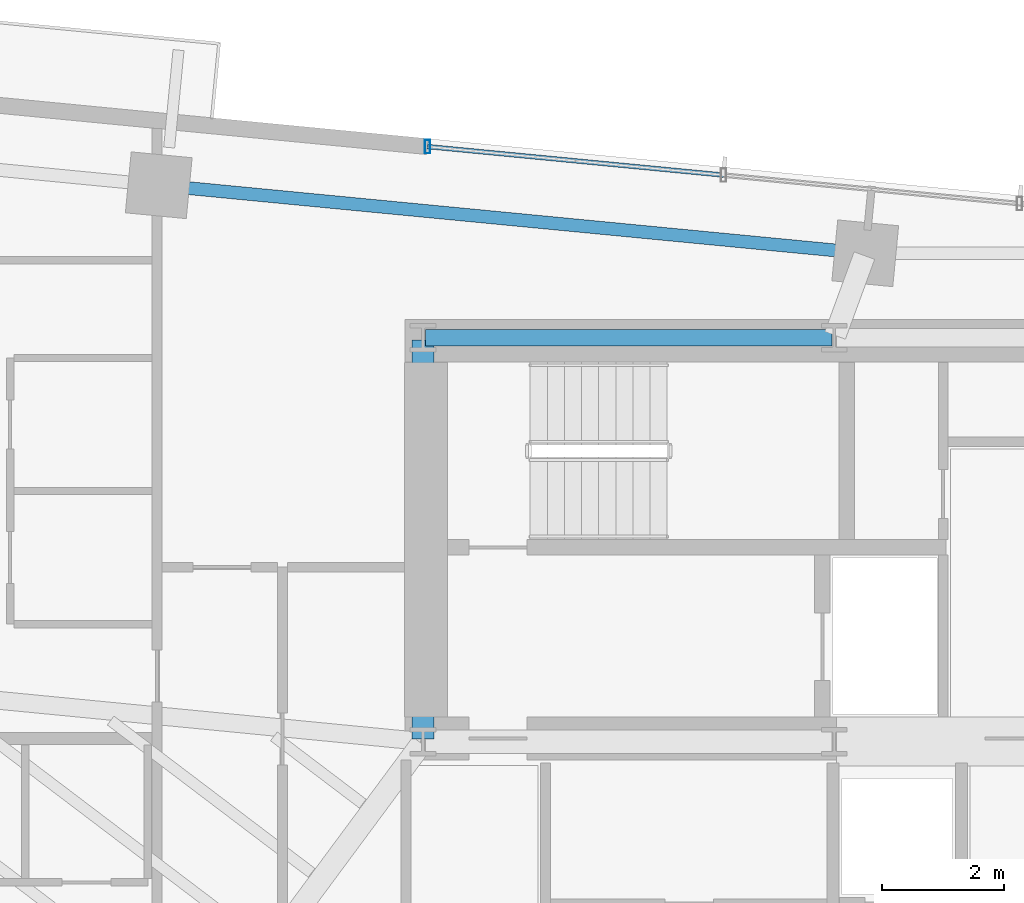
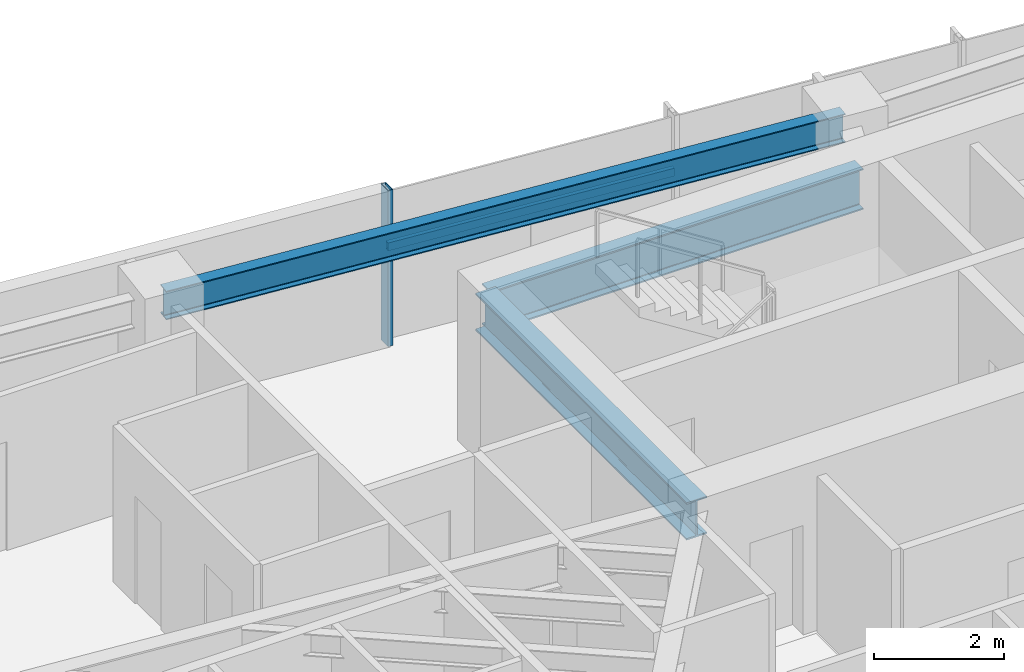
# One storey, part 7 of 20: 3 beams, 2 members, 1 element without a shape of its own.
"""IFC4 building model written with IfcOpenShell, lengths in metres."""

import ifcopenshell
import ifcopenshell.guid

model = None  # the IFC model being written
_history = None  # IfcOwnerHistory: only IFC2X3 demands one
_inside = {}  # id of a spatial element -> (the spatial element, [elements in it])
_under = {}  # id of a project, library or spatial element -> (it, [spatial elements below it])
_declared = {}  # id of a project -> (the project, [libraries it declares])
_typed = {}  # id of a type object -> (the type object, [elements of that type])
_made_of = {}  # id of a material, layer set ... -> (it, [elements and type objects made of it])


def new_model(schema):
    """Start an empty IFC model of exactly this schema.

    Asked for "IFC4X3", IfcOpenShell would pick the latest addendum, in which some entities
    have other attributes; the version numbers below select the first issue.
    IFC2X3 requires an IfcOwnerHistory on every rooted entity: one is made here for all.
    """
    global model, _history
    if schema == "IFC4X3":
        model = ifcopenshell.file(schema_version=(4, 3, 0, 0))
    else:
        model = ifcopenshell.file(schema=schema)
    _inside.clear()
    _under.clear()
    _declared.clear()
    _typed.clear()
    _made_of.clear()
    _history = None
    if model.schema == "IFC2X3":
        org = make("IfcOrganization", Name="unknown")
        user = make(
            "IfcPersonAndOrganization",
            ThePerson=make("IfcPerson", FamilyName="unknown"),
            TheOrganization=org,
        )
        app = make(
            "IfcApplication",
            ApplicationDeveloper=org,
            Version="unknown",
            ApplicationFullName="unknown",
            ApplicationIdentifier="unknown",
        )
        _history = make(
            "IfcOwnerHistory",
            OwningUser=user,
            OwningApplication=app,
            ChangeAction="ADDED",
            CreationDate=0,
        )
    return model


def make(cls, **values):
    """One entity of the class cls with the attributes given. An attribute that is None is left unset."""
    return model.create_entity(
        cls, **{name: value for name, value in values.items() if value is not None}
    )


def rooted(cls, **values):
    """An entity with a GlobalId (a new one), such as an element, a storey or a relation."""
    return make(cls, GlobalId=ifcopenshell.guid.new(), OwnerHistory=_history, **values)


def si_unit(unit_type, name, prefix=None):
    """IfcSIUnit, for example si_unit("LENGTHUNIT", "METRE", prefix="MILLI")."""
    return make("IfcSIUnit", UnitType=unit_type, Prefix=prefix, Name=name)


def assignment(units):
    """IfcUnitAssignment: the units of a project."""
    return None if units is None else make("IfcUnitAssignment", Units=units)


def point(xyz):
    """IfcCartesianPoint."""
    return None if xyz is None else make("IfcCartesianPoint", Coordinates=xyz)


def direction(xyz):
    """IfcDirection."""
    return None if xyz is None else make("IfcDirection", DirectionRatios=xyz)


def frame(location, z_axis=None, x_axis=None):
    """IfcAxis2Placement3D, a coordinate frame: its origin and axes. An axis left out is left unset."""
    return make(
        "IfcAxis2Placement3D",
        Location=point(location),
        Axis=direction(z_axis),
        RefDirection=direction(x_axis),
    )


def frame_2d(location, x_axis=None):
    """IfcAxis2Placement2D, a coordinate frame in the plane: its origin and x axis."""
    return make(
        "IfcAxis2Placement2D", Location=point(location), RefDirection=direction(x_axis)
    )


def origin():
    """The frame at (0, 0, 0) with its axes left unset."""
    return frame((0.0, 0.0, 0.0))


def origin_2d():
    """The frame at (0, 0) in the plane with its x axis left unset."""
    return frame_2d((0.0, 0.0))


def place(relative_to, where):
    """IfcLocalPlacement: puts the frame where relative to a parent placement (None: the world)."""
    return make(
        "IfcLocalPlacement", PlacementRelTo=relative_to, RelativePlacement=where
    )


def context(
    kind, dimensions, precision=None, world=None, true_north=None, identifier=None
):
    """IfcGeometricRepresentationContext, for example the 3D "Model" context."""
    return make(
        "IfcGeometricRepresentationContext",
        ContextIdentifier=identifier,
        ContextType=kind,
        CoordinateSpaceDimension=dimensions,
        Precision=precision,
        WorldCoordinateSystem=world,
        TrueNorth=true_north,
    )


def subcontext(parent, identifier, kind, view, scale=None):
    """IfcGeometricRepresentationSubContext, for example "Body" below "Model"."""
    return make(
        "IfcGeometricRepresentationSubContext",
        ContextIdentifier=identifier,
        ContextType=kind,
        ParentContext=parent,
        TargetScale=scale,
        TargetView=view,
    )


def project(units=None, contexts=None):
    """IfcProject with its units and contexts."""
    return rooted(
        "IfcProject",
        Name="project",
        RepresentationContexts=contexts,
        UnitsInContext=assignment(units),
    )


def spatial(cls, under=None, at=None, **own):
    """A site, building, storey or space (cls), placed at a placement, below another one or the project."""
    s = rooted(cls, ObjectPlacement=at, **own)
    if under is not None:
        _under.setdefault(under.id(), (under, []))[1].append(s)
    return s


def profile(cls, at=None, kind="AREA", **sizes):
    """A parametric profile (cls). Its sizes go by their IFC names, for example OverallWidth=200.0."""
    return make(cls, ProfileType=kind, Position=at, **sizes)


def hollow_rectangle(**sizes):
    """IfcRectangleHollowProfileDef."""
    return profile("IfcRectangleHollowProfileDef", **sizes)


def i_section(**sizes):
    """IfcIShapeProfileDef."""
    return profile("IfcIShapeProfileDef", **sizes)


def extrude(swept, where, along, depth):
    """IfcExtrudedAreaSolid: the profile swept, set in the frame where, extruded along a direction by depth."""
    return make(
        "IfcExtrudedAreaSolid",
        SweptArea=swept,
        Position=where,
        ExtrudedDirection=direction(along),
        Depth=depth,
    )


def shape(context_of_items, identifier, shape_type, items):
    """IfcShapeRepresentation: the items that make up one representation, for example the "Body"."""
    return make(
        "IfcShapeRepresentation",
        ContextOfItems=context_of_items,
        RepresentationIdentifier=identifier,
        RepresentationType=shape_type,
        Items=items,
    )


def source(mapping_origin, context_of_items, identifier, shape_type, items):
    """IfcRepresentationMap: a shape defined once, which mapped items show again and again."""
    return make(
        "IfcRepresentationMap",
        MappingOrigin=mapping_origin,
        MappedRepresentation=shape(context_of_items, identifier, shape_type, items),
    )


def transform(
    local_origin,
    x_axis=None,
    y_axis=None,
    z_axis=None,
    scale=None,
    scale2=None,
    scale3=None,
    uniform=True,
):
    """IfcCartesianTransformationOperator3D, or its non-uniform kind. x_axis, y_axis, z_axis: its Axis1, 2, 3."""
    if uniform:
        return make(
            "IfcCartesianTransformationOperator3D",
            Axis1=direction(x_axis),
            Axis2=direction(y_axis),
            LocalOrigin=point(local_origin),
            Scale=scale,
            Axis3=direction(z_axis),
        )
    return make(
        "IfcCartesianTransformationOperator3DnonUniform",
        Axis1=direction(x_axis),
        Axis2=direction(y_axis),
        LocalOrigin=point(local_origin),
        Scale=scale,
        Axis3=direction(z_axis),
        Scale2=scale2,
        Scale3=scale3,
    )


def mapped(mapping_source, mapping_target):
    """IfcMappedItem: shows the shape of a source again, moved by a transform."""
    return make(
        "IfcMappedItem", MappingSource=mapping_source, MappingTarget=mapping_target
    )


def material(Name=None, Category=None):
    """IfcMaterial."""
    return make("IfcMaterial", Name=Name, Category=Category)


def material_profile(
    of_material, cross_section, Name=None, Category=None, Priority=None
):
    """IfcMaterialProfile: a cross section and its material."""
    return make(
        "IfcMaterialProfile",
        Name=Name,
        Material=of_material,
        Profile=cross_section,
        Priority=Priority,
        Category=Category,
    )


def profile_set(profiles, Name=None, composite=None):
    """IfcMaterialProfileSet."""
    return make(
        "IfcMaterialProfileSet",
        Name=Name,
        MaterialProfiles=profiles,
        CompositeProfile=composite,
    )


def made_of(thing, what):
    """Note that an element or type object is made of a material, layer set ...; save() writes the relation."""
    if what is not None:
        _made_of.setdefault(what.id(), (what, []))[1].append(thing)
    return thing


def type_object(cls, material=None, **own):
    """A type object (cls), such as IfcWallType, which elements share."""
    return made_of(rooted(cls, **own), material)


def type_shapes(of_type, sources):
    """Give a type object the sources (RepresentationMaps) that its elements show as mapped items."""
    of_type.RepresentationMaps = sources


def element(
    cls,
    number,
    at=None,
    inside=None,
    cuts=None,
    type_object=None,
    material=None,
    context=None,
    identifier="Body",
    shape_type=None,
    held_by="IfcProductDefinitionShape",
    body=None,
    shapes=None,
    **own,
):
    """One element of the class cls, such as IfcWall. Its Tag is "e" and its number.

    at: its placement. inside: the storey or other place that contains it. cuts: it is an
    opening in that element (IfcRelVoidsElement). A single representation is given by context,
    identifier, shape_type and body (its items); several are given by shapes. held_by: the class
    of the entity that holds the representations. save() writes the other relations.
    """
    e = rooted(cls, Tag="e%d" % number, ObjectPlacement=at, **own)
    if body is not None:
        shapes = [shape(context, identifier, shape_type, body)]
    if shapes is not None:
        e.Representation = make(held_by, Representations=shapes)
    if inside is not None:
        _inside.setdefault(inside.id(), (inside, []))[1].append(e)
    if cuts is not None:
        rooted(
            "IfcRelVoidsElement", RelatingBuildingElement=cuts, RelatedOpeningElement=e
        )
    if type_object is not None:
        _typed.setdefault(type_object.id(), (type_object, []))[1].append(e)
    return made_of(e, material)


def aggregate(whole, parts):
    """IfcRelAggregates: a whole, such as a stair, and the parts it consists of."""
    return rooted("IfcRelAggregates", RelatingObject=whole, RelatedObjects=parts)


def save(model, path):
    """Write the relations noted so far, then the file.

    IfcRelAggregates (storeys below a building ...), IfcRelContainedInSpatialStructure (elements
    in a storey), IfcRelDefinesByType, IfcRelAssociatesMaterial and IfcRelDeclares: one each for
    every whole, place, type object, material and project.
    """
    for whole, parts in _under.values():
        aggregate(whole, parts)
    for where, things in _inside.values():
        rooted(
            "IfcRelContainedInSpatialStructure",
            RelatedElements=things,
            RelatingStructure=where,
        )
    for kind, things in _typed.values():
        rooted("IfcRelDefinesByType", RelatedObjects=things, RelatingType=kind)
    for what, things in _made_of.values():
        rooted("IfcRelAssociatesMaterial", RelatedObjects=things, RelatingMaterial=what)
    for by, libraries in _declared.values():
        rooted("IfcRelDeclares", RelatingContext=by, RelatedDefinitions=libraries)
    model.write(path)


model = new_model("IFC4")

# Units and contexts
model_context = context("Model", 3, precision=1e-05, world=origin(), true_north=direction((0.0, 1.0)))
body_context = subcontext(model_context, "Body", "Model", "MODEL_VIEW")
ifc_project = project(units=[si_unit("LENGTHUNIT", "METRE"), si_unit("AREAUNIT", "SQUARE_METRE"), si_unit("VOLUMEUNIT", "CUBIC_METRE"), si_unit("PLANEANGLEUNIT", "RADIAN"), si_unit("MASSUNIT", "GRAM", prefix="KILO")], contexts=[model_context])

# Site, building, storey
site_placement = place(None, origin())
site = spatial("IfcSite", under=ifc_project, at=site_placement, CompositionType="ELEMENT")
building_placement = place(site_placement, origin())
building = spatial("IfcBuilding", under=site, at=building_placement, Name="Astriad Promenade Condominiums", CompositionType="ELEMENT")
storey_placement = place(building_placement, frame((0.0, 0.0, 131.0)))
storey = spatial("IfcBuildingStorey", under=building, at=storey_placement, Name="L37", CompositionType="ELEMENT", Elevation=131.0)

# Beams
ifc_material_1 = material(Name="Steel ASTM A992 Grade 50", Category="steel")
ifc_material_profile_1 = material_profile(ifc_material_1, i_section(OverallWidth=0.267822265625, OverallDepth=0.76953125, WebThickness=0.015625, FlangeThickness=0.025390625, FilletRadius=0.021484375, at=origin_2d()), Name="W30X132")
ifc_profile_set_1 = profile_set([ifc_material_profile_1], Name="Steel ASTM A992 Grade 50")
beam_type_1 = type_object("IfcBeamType", Name="STEEL FLOOR GIRDER W30X132", PredefinedType="BEAM", material=ifc_profile_set_1)
shared_shape_1 = source(origin(), body_context, "Body", "SweptSolid", [
    extrude(i_section(OverallWidth=0.267822265625, OverallDepth=0.76953125, WebThickness=0.015625, FlangeThickness=0.025390625, FilletRadius=0.021484375, at=origin_2d()), origin(), (0.0, 0.0, 1.0), 6.64013671875),
])
type_shapes(beam_type_1, [shared_shape_1])
beam_1_placement = place(storey_placement, frame((26.43994140625, 24.0, 2.55517578125), z_axis=(1.0, 0.0, 0.0), x_axis=(0.0, 1.0, 0.0)))
element("IfcBeam", 1, at=beam_1_placement, inside=storey, type_object=beam_type_1, Name="Core Ring Beam CG-N1-L37", PredefinedType="BEAM", context=body_context, shape_type="MappedRepresentation", body=[
    mapped(shared_shape_1, transform((0.0, 0.0, 0.0), scale=1.0)),
])
ifc_material_profile_2 = material_profile(ifc_material_1, i_section(OverallWidth=0.35791015625, OverallDepth=0.706298828125, WebThickness=0.018310546875, FlangeThickness=0.0302734375, FilletRadius=0.020263671875, at=origin_2d()), Name="W27X178")
ifc_profile_set_2 = profile_set([ifc_material_profile_2], Name="Steel ASTM A992 Grade 50")
beam_type_2 = type_object("IfcBeamType", Name="STEEL FLOOR GIRDER W27X178", PredefinedType="BEAM", material=ifc_profile_set_2)
shared_shape_2 = source(origin(), body_context, "Body", "SweptSolid", [
    extrude(i_section(OverallWidth=0.35791015625, OverallDepth=0.706298828125, WebThickness=0.018310546875, FlangeThickness=0.0302734375, FilletRadius=0.020263671875, at=origin_2d()), origin(), (0.0, 0.0, 1.0), 6.52001953125),
])
type_shapes(beam_type_2, [shared_shape_2])
beam_2_placement = place(storey_placement, frame((26.39990234375, 17.43994140625, 2.5869140625), z_axis=(0.0, 1.0, 0.0), x_axis=(-1.0, 0.0, 0.0)))
element("IfcBeam", 2, at=beam_2_placement, inside=storey, type_object=beam_type_2, Name="Core Ring Beam CG-W1-L37", PredefinedType="BEAM", context=body_context, shape_type="MappedRepresentation", body=[
    mapped(shared_shape_2, transform((0.0, 0.0, 0.0), scale=1.0)),
])
ifc_material_profile_3 = material_profile(ifc_material_1, i_section(OverallWidth=0.210693359375, OverallDepth=0.53955078125, WebThickness=0.01171875, FlangeThickness=0.018798828125, FilletRadius=0.0166015625, at=origin_2d()), Name="W21X73")
ifc_profile_set_3 = profile_set([ifc_material_profile_3], Name="Steel ASTM A992 Grade 50")
beam_type_3 = type_object("IfcBeamType", Name="STEEL SPANDREL BEAM W21X73", PredefinedType="SPANDREL", material=ifc_profile_set_3)
shared_shape_3 = source(origin(), body_context, "Body", "SweptSolid", [
    extrude(i_section(OverallWidth=0.210693359375, OverallDepth=0.53955078125, WebThickness=0.01171875, FlangeThickness=0.018798828125, FilletRadius=0.0166015625, at=origin_2d()), origin(), (0.0, 0.0, 1.0), 11.52001953125),
])
type_shapes(beam_type_3, [shared_shape_3])
beam_3_placement = place(storey_placement, frame((33.58642578125, 25.384033203125, 2.67041015625), z_axis=(-0.9953953902, 0.095854145285, 0.0), x_axis=(-0.095854145285, -0.9953953902, 0.0)))
element("IfcBeam", 3, at=beam_3_placement, inside=storey, type_object=beam_type_3, Name="Perimeter Spandrel Beam SP-N2-L37", PredefinedType="SPANDREL", context=body_context, shape_type="MappedRepresentation", body=[
    mapped(shared_shape_3, transform((0.0, 0.0, 0.0), scale=1.0)),
])

# Curtain wall, members
ifc_material_2 = material(Name="Anodised aluminium Black Dark Glass Unitised", Category="aluminium")
curtain_wall_type = type_object("IfcCurtainWallType", Name="CW-B34-DARK", PredefinedType="USERDEFINED", material=ifc_material_2)
curtain_wall_placement = place(storey_placement, origin())
curtain_wall = element("IfcCurtainWall", 4, at=curtain_wall_placement, inside=storey, type_object=curtain_wall_type, Name="CW-L37-N", ObjectType="UNITISED_CURTAIN_WALL", PredefinedType="USERDEFINED")
ifc_material_3 = material(Name="Anodised aluminium 6063-T6 Black", Category="aluminium")
ifc_material_profile_4 = material_profile(ifc_material_3, hollow_rectangle(XDim=0.0849609375, YDim=0.219970703125, WallThickness=0.0048828125, at=origin_2d()), Name="ALU-MUL-85X220")
ifc_profile_set_4 = profile_set([ifc_material_profile_4], Name="Anodised aluminium 6063-T6 Black")
member_type_1 = type_object("IfcMemberType", Name="MUL-ALU-MUL-85X220", PredefinedType="MULLION", material=ifc_profile_set_4)
shared_shape_4 = source(origin(), body_context, "Body", "SweptSolid", [
    extrude(hollow_rectangle(XDim=0.0849609375, YDim=0.219970703125, WallThickness=0.0048828125, at=origin_2d()), origin(), (0.0, 0.0, 1.0), 2.93994140625),
])
type_shapes(member_type_1, [shared_shape_4])
member_1_placement = place(storey_placement, frame((26.470458984375, 27.124267578125, 0.0), z_axis=(0.0, 0.0, 1.0), x_axis=(1.0, 0.0, 0.0)))
member_1 = element("IfcMember", 5, at=member_1_placement, type_object=member_type_1, Name="CW-L37-N-MUL-00", PredefinedType="MULLION", context=body_context, shape_type="MappedRepresentation", body=[
    mapped(shared_shape_4, transform((0.0, 0.0, 0.0), scale=1.0)),
])
ifc_material_profile_5 = material_profile(ifc_material_3, hollow_rectangle(XDim=0.074951171875, YDim=0.14990234375, WallThickness=0.004150390625, at=origin_2d()), Name="ALU-TRN-75X150")
ifc_profile_set_5 = profile_set([ifc_material_profile_5], Name="Anodised aluminium 6063-T6 Black")
member_type_2 = type_object("IfcMemberType", Name="TRN-ALU-TRN-75X150", PredefinedType="USERDEFINED", material=ifc_profile_set_5)
shared_shape_5 = source(origin(), body_context, "Body", "SweptSolid", [
    extrude(hollow_rectangle(XDim=0.074951171875, YDim=0.14990234375, WallThickness=0.004150390625, at=origin_2d()), origin(), (0.0, 0.0, 1.0), 4.860107421875),
])
type_shapes(member_type_2, [shared_shape_5])
member_2_placement = place(storey_placement, frame((26.470458984375, 27.124267578125, 1.82275390625), z_axis=(0.995396042559, -0.095847370639, 0.0), x_axis=(0.095847370639, 0.995396042559, 0.0)))
member_2 = element("IfcMember", 6, at=member_2_placement, type_object=member_type_2, Name="CW-L37-N-TRN-00-0", ObjectType="TRANSOM", PredefinedType="USERDEFINED", context=body_context, shape_type="MappedRepresentation", body=[
    mapped(shared_shape_5, transform((0.0, 0.0, 0.0), scale=1.0)),
])
aggregate(curtain_wall, [member_1, member_2])

save(model, "model.ifc")
